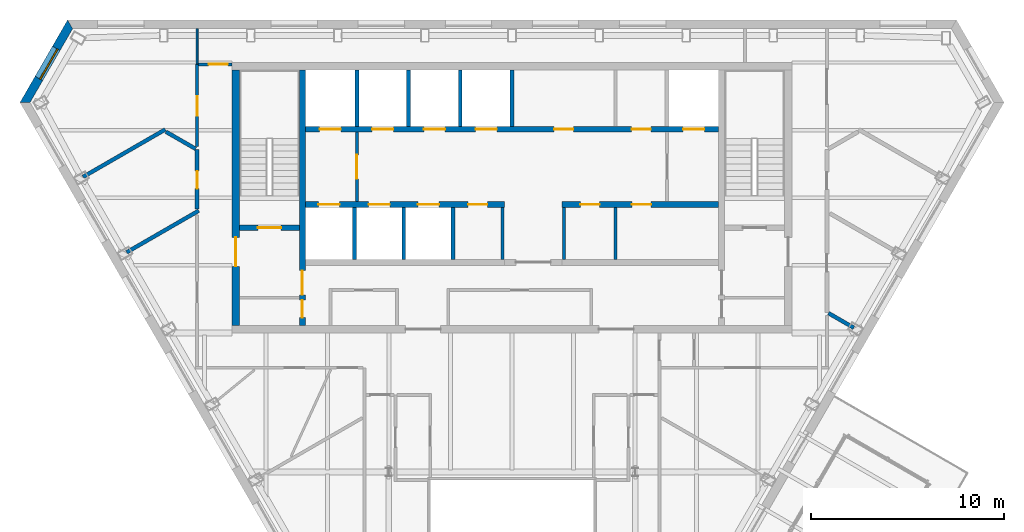
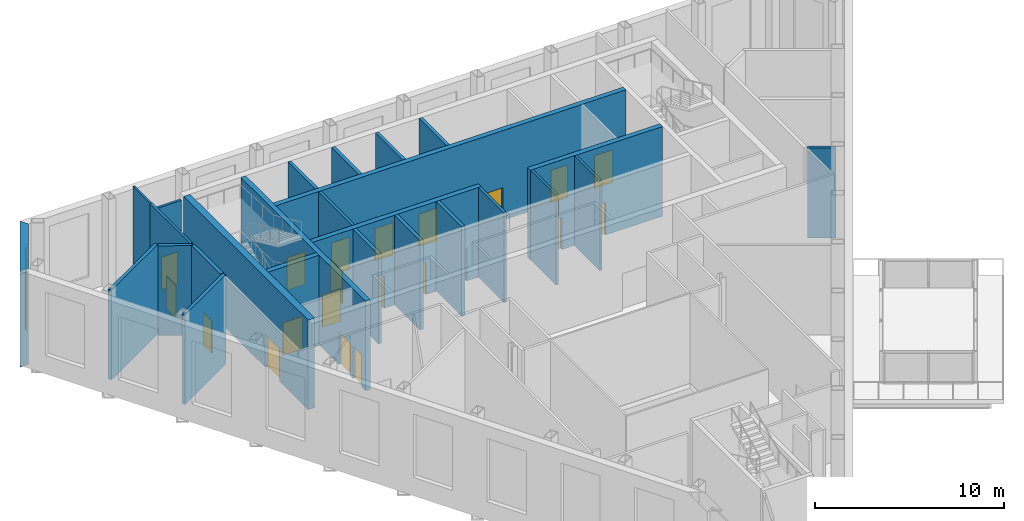
# One storey, part 7 of 11: 26 walls, 21 doors, 1 window, 22 openings.
"""IFC4 building model written with IfcOpenShell, lengths in metres."""

from ifc_helpers import new_model, si_unit, direction, frame, frame_2d, origin, place, context, subcontext, project, spatial, polyline, rectangle, outline, extrude, material, layer, layer_set, type_object, element, fill, save


model = new_model("IFC4")

# Units and contexts
model_context = context("Model", 3, precision=1e-05, world=origin(), true_north=direction((0.0, 1.0)))
body_context = subcontext(model_context, "Body", "Model", "MODEL_VIEW")
ifc_project = project(units=[si_unit("LENGTHUNIT", "METRE"), si_unit("AREAUNIT", "SQUARE_METRE"), si_unit("VOLUMEUNIT", "CUBIC_METRE"), si_unit("PLANEANGLEUNIT", "RADIAN"), si_unit("MASSUNIT", "GRAM", prefix="KILO")], contexts=[model_context])

# Site, building, storey
site_placement = place(None, origin())
site = spatial("IfcSite", under=ifc_project, at=site_placement, CompositionType="ELEMENT")
building_placement = place(site_placement, origin())
building = spatial("IfcBuilding", under=site, at=building_placement, Name="Njiva Tower", CompositionType="ELEMENT")
storey_placement = place(building_placement, frame((0.0, 0.0, 298.2)))
storey = spatial("IfcBuildingStorey", under=building, at=storey_placement, Name="L68", CompositionType="ELEMENT", Elevation=298.2)

# Walls
ifc_material_1 = material(Name="Blockwork", Category="masonry")
ifc_layer_1 = layer(ifc_material_1, 0.15)
ifc_layer_set_1 = layer_set([ifc_layer_1], Name="Blockwork")
wall_type_1 = type_object("IfcWallType", Name="WT1 Compartment partition 150", PredefinedType="PARTITIONING", material=ifc_layer_set_1)
for number, where, z_axis, x_axis, name in (
    (1, (-0.5, 7.8, 0.0), (0.0, 0.0, 1.0), (0.0, 1.0, 0.0), "Partition CS4"),
    (2, (2.7, 7.8, 0.0), (0.0, 0.0, 1.0), (0.0, 1.0, 0.0), "Partition CS5"),
    (3, (5.3667, 7.8, 0.0), (0.0, 0.0, 1.0), (0.0, 1.0, 0.0), "Partition CS6"),
):
    element("IfcWall", number, at=place(storey_placement, frame(where, z_axis=z_axis, x_axis=x_axis)), inside=storey, type_object=wall_type_1, Name=name, PredefinedType="PARTITIONING", context=body_context, shape_type="SweptSolid", body=[
        extrude(rectangle(XDim=2.7, YDim=0.15, at=frame_2d((1.35, 0.0))), origin(), (0.0, 0.0, 1.0), 5.8),
    ])

# Wall, openings, doors
ifc_material_2 = material(Name="Concrete C40/50", Category="concrete")
ifc_layer_2 = layer(ifc_material_2, 0.3)
ifc_layer_set_2 = layer_set([ifc_layer_2], Name="Concrete C40/50")
wall_type_2 = type_object("IfcWallType", Name="WT10 Stair enclosure wall 300", PredefinedType="SHEAR", material=ifc_layer_set_2)
wall_1_placement = place(storey_placement, frame((-10.85, 4.4, 0.0), z_axis=(0.0, 0.0, 1.0), x_axis=(0.0, 1.0, 0.0)))
wall_1 = element("IfcWall", 4, at=wall_1_placement, inside=storey, type_object=wall_type_2, Name="Stair wall west inner", PredefinedType="SHEAR", context=body_context, shape_type="SweptSolid", body=[
    extrude(rectangle(XDim=13.2, YDim=0.3, at=frame_2d((6.6, 0.0))), origin(), (0.0, 0.0, 1.0), 5.8),
])
opening_1_placement = place(wall_1_placement, frame((1.575, 0.0, 0.0)))
opening_1 = element("IfcOpeningElement", 5, at=opening_1_placement, cuts=wall_1, Name="Opening S22-D916", PredefinedType="OPENING", context=body_context, shape_type="SweptSolid", body=[
    extrude(rectangle(XDim=1.25, YDim=2.1, at=frame_2d((0.625, 1.05))), frame((0.0, 0.16, 0.0), z_axis=(0.0, -1.0, 0.0), x_axis=(1.0, 0.0, 0.0)), (0.0, 0.0, 1.0), 0.32),
])
opening_2_placement = place(wall_1_placement, frame((0.4, 0.0, 0.0)))
opening_2 = element("IfcOpeningElement", 6, at=opening_2_placement, cuts=wall_1, Name="Opening S22-D918", PredefinedType="OPENING", context=body_context, shape_type="SweptSolid", body=[
    extrude(rectangle(XDim=0.9, YDim=2.1, at=frame_2d((0.45, 1.05))), frame((0.0, 0.16, 0.0), z_axis=(0.0, -1.0, 0.0), x_axis=(1.0, 0.0, 0.0)), (0.0, 0.0, 1.0), 0.32),
])
ifc_material_3 = material(Name="Steel door, painted", Category="steel")
door_type_1 = type_object("IfcDoorType", Name="D13 Steel door 900x2100", OperationType="SINGLE_SWING_LEFT", PredefinedType="DOOR", material=ifc_material_3)
door_1_placement = place(opening_2_placement, origin())
door_1 = element("IfcDoor", 7, at=door_1_placement, inside=storey, type_object=door_type_1, Name="First aid room door", OperationType="SINGLE_SWING_RIGHT", OverallHeight=2.1, OverallWidth=0.9, PredefinedType="DOOR", context=body_context, shape_type="SweptSolid", body=[
    extrude(rectangle(XDim=0.9, YDim=2.1, at=frame_2d((0.45, 1.05))), frame((0.0, 0.025, 0.0), z_axis=(0.0, -1.0, 0.0), x_axis=(1.0, 0.0, 0.0)), (0.0, 0.0, 1.0), 0.05),
])
fill(opening_2, door_1)
ifc_material_4 = material(Name="Glazed steel fire door", Category="steel")
door_type_2 = type_object("IfcDoorType", Name="D8 Vestibule corridor door 1250x2100 glazed", OperationType="SINGLE_SWING_LEFT", PredefinedType="DOOR", material=ifc_material_4)
door_2_placement = place(opening_1_placement, origin())
door_2 = element("IfcDoor", 8, at=door_2_placement, inside=storey, type_object=door_type_2, Name="Stair vestibule corridor door", OperationType="SINGLE_SWING_LEFT", OverallHeight=2.1, OverallWidth=1.25, PredefinedType="DOOR", context=body_context, shape_type="SweptSolid", body=[
    extrude(rectangle(XDim=1.25, YDim=2.1, at=frame_2d((0.625, 1.05))), frame((0.0, 0.025, 0.0), z_axis=(0.0, -1.0, 0.0), x_axis=(1.0, 0.0, 0.0)), (0.0, 0.0, 1.0), 0.05),
])
fill(opening_1, door_2)

# Wall, opening, door
wall_2_placement = place(storey_placement, frame((-14.1, 9.45, 0.0), z_axis=(0.0, 0.0, 1.0), x_axis=(1.0, 0.0, 0.0)))
wall_2 = element("IfcWall", 9, at=wall_2_placement, inside=storey, type_object=wall_type_2, Name="Stair A south wall", PredefinedType="SHEAR", context=body_context, shape_type="SweptSolid", body=[
    extrude(rectangle(XDim=3.1, YDim=0.3, at=frame_2d((1.55, 0.0))), origin(), (0.0, 0.0, 1.0), 5.8),
])
opening_3_placement = place(wall_2_placement, frame((0.95, 0.0, 0.0)))
opening_3 = element("IfcOpeningElement", 10, at=opening_3_placement, cuts=wall_2, Name="Opening S22-D915", PredefinedType="OPENING", context=body_context, shape_type="SweptSolid", body=[
    extrude(rectangle(XDim=1.2, YDim=2.1, at=frame_2d((0.6, 1.05))), frame((0.0, 0.16, 0.0), z_axis=(0.0, -1.0, 0.0), x_axis=(1.0, 0.0, 0.0)), (0.0, 0.0, 1.0), 0.32),
])
door_type_3 = type_object("IfcDoorType", Name="D7 Stair vestibule door 1200x2100 glazed", OperationType="SINGLE_SWING_LEFT", PredefinedType="DOOR", material=ifc_material_4)
door_3_placement = place(opening_3_placement, origin())
door_3 = element("IfcDoor", 11, at=door_3_placement, inside=storey, type_object=door_type_3, Name="Stair A door", OperationType="SINGLE_SWING_LEFT", OverallHeight=2.1, OverallWidth=1.2, PredefinedType="DOOR", context=body_context, shape_type="SweptSolid", body=[
    extrude(rectangle(XDim=1.2, YDim=2.1, at=frame_2d((0.6, 1.05))), frame((0.0, 0.025, 0.0), z_axis=(0.0, -1.0, 0.0), x_axis=(1.0, 0.0, 0.0)), (0.0, 0.0, 1.0), 0.05),
])
fill(opening_3, door_3)

ifc_material_5 = material(Name="Concrete C60/75", Category="concrete")
ifc_layer_3 = layer(ifc_material_5, 0.4)
ifc_layer_set_3 = layer_set([ifc_layer_3], Name="Concrete C60/75")
wall_type_3 = type_object("IfcWallType", Name="WT11 Core wall 400", PredefinedType="SHEAR", material=ifc_layer_set_3)
wall_3_placement = place(storey_placement, frame((-14.3, 4.4, 0.0), z_axis=(0.0, 0.0, 1.0), x_axis=(0.0, 1.0, 0.0)))
wall_3 = element("IfcWall", 12, at=wall_3_placement, inside=storey, type_object=wall_type_3, Name="Core wall west", PredefinedType="SHEAR", context=body_context, shape_type="SweptSolid", body=[
    extrude(rectangle(XDim=13.2, YDim=0.4, at=frame_2d((6.6, 0.0))), origin(), (0.0, 0.0, 1.0), 5.8),
])
opening_4_placement = place(wall_3_placement, frame((3.05, 0.0, 0.0)))
opening_4 = element("IfcOpeningElement", 13, at=opening_4_placement, cuts=wall_3, Name="Opening S22-D917", PredefinedType="OPENING", context=body_context, shape_type="SweptSolid", body=[
    extrude(rectangle(XDim=1.5, YDim=2.1, at=frame_2d((0.75, 1.05))), frame((0.0, 0.21, 0.0), z_axis=(0.0, -1.0, 0.0), x_axis=(1.0, 0.0, 0.0)), (0.0, 0.0, 1.0), 0.42),
])
door_type_4 = type_object("IfcDoorType", Name="D10 Exit door double 1500x2100 glazed", OperationType="DOUBLE_DOOR_SINGLE_SWING", PredefinedType="DOOR", material=ifc_material_4)
door_4_placement = place(opening_4_placement, origin())
door_4 = element("IfcDoor", 14, at=door_4_placement, inside=storey, type_object=door_type_4, Name="Stair A corridor door", OperationType="DOUBLE_DOOR_SINGLE_SWING", OverallHeight=2.1, OverallWidth=1.5, PredefinedType="DOOR", context=body_context, shape_type="SweptSolid", body=[
    extrude(rectangle(XDim=1.5, YDim=2.1, at=frame_2d((0.75, 1.05))), frame((0.0, 0.025, 0.0), z_axis=(0.0, -1.0, 0.0), x_axis=(1.0, 0.0, 0.0)), (0.0, 0.0, 1.0), 0.05),
])
fill(opening_4, door_4)

ifc_layer_4 = layer(ifc_material_1, 0.15)
ifc_layer_set_4 = layer_set([ifc_layer_4], Name="Blockwork")
wall_type_4 = type_object("IfcWallType", Name="WT2 Lobby partition 150", PredefinedType="PARTITIONING", material=ifc_layer_set_4)
wall_4_placement = place(storey_placement, frame((-8.025, 10.8, 0.0), z_axis=(0.0, 0.0, 1.0), x_axis=(0.0, 1.0, 0.0)))
wall_4 = element("IfcWall", 15, at=wall_4_placement, inside=storey, type_object=wall_type_4, Name="Firefighting lobby wall A", PredefinedType="PARTITIONING", context=body_context, shape_type="SweptSolid", body=[
    extrude(rectangle(XDim=3.6, YDim=0.15, at=frame_2d((1.8, 0.0))), origin(), (0.0, 0.0, 1.0), 5.8),
])
opening_5_placement = place(wall_4_placement, frame((1.175, 0.0, 0.0)))
opening_5 = element("IfcOpeningElement", 16, at=opening_5_placement, cuts=wall_4, Name="Opening S22-D914", PredefinedType="OPENING", context=body_context, shape_type="SweptSolid", body=[
    extrude(rectangle(XDim=1.25, YDim=2.1, at=frame_2d((0.625, 1.05))), frame((0.0, 0.085, 0.0), z_axis=(0.0, -1.0, 0.0), x_axis=(1.0, 0.0, 0.0)), (0.0, 0.0, 1.0), 0.17),
])
door_5_placement = place(opening_5_placement, origin())
door_5 = element("IfcDoor", 17, at=door_5_placement, inside=storey, type_object=door_type_2, Name="Stair vestibule corridor door", OperationType="SINGLE_SWING_RIGHT", OverallHeight=2.1, OverallWidth=1.25, PredefinedType="DOOR", context=body_context, shape_type="SweptSolid", body=[
    extrude(rectangle(XDim=1.25, YDim=2.1, at=frame_2d((0.625, 1.05))), frame((0.0, 0.025, 0.0), z_axis=(0.0, -1.0, 0.0), x_axis=(1.0, 0.0, 0.0)), (0.0, 0.0, 1.0), 0.05),
])
fill(opening_5, door_5)

# Wall
ifc_material_6 = material(Name="Gypsum board on steel studs", Category="gypsum")
ifc_layer_5 = layer(ifc_material_6, 0.1)
ifc_layer_set_5 = layer_set([ifc_layer_5], Name="Gypsum board on steel studs")
wall_type_5 = type_object("IfcWallType", Name="WT20 Gypsum partition 100", PredefinedType="PARTITIONING", material=ifc_layer_set_5)
wall_5_placement = place(storey_placement, frame((-16.3, 17.919, 0.0), z_axis=(0.0, 0.0, 1.0), x_axis=(0.0, 1.0, 0.0)))
element("IfcWall", 18, at=wall_5_placement, inside=storey, type_object=wall_type_5, Name="Partition S22-P008", PredefinedType="PARTITIONING", context=body_context, shape_type="SweptSolid", body=[
    extrude(rectangle(XDim=1.831, YDim=0.1, at=frame_2d((0.9155, 0.0))), origin(), (0.0, 0.0, 1.0), 5.8),
])

# Wall, opening, door
ifc_layer_6 = layer(ifc_material_6, 0.15)
ifc_layer_set_6 = layer_set([ifc_layer_6], Name="Gypsum board on steel studs")
wall_type_6 = type_object("IfcWallType", Name="WT21 Compartment wall 150", PredefinedType="PARTITIONING", material=ifc_layer_set_6)
wall_6_placement = place(storey_placement, frame((-16.3, 13.646, 0.0), z_axis=(0.0, 0.0, 1.0), x_axis=(0.0, 1.0, 0.0)))
wall_6 = element("IfcWall", 19, at=wall_6_placement, inside=storey, type_object=wall_type_6, Name="Partition S22-P007", PredefinedType="PARTITIONING", context=body_context, shape_type="SweptSolid", body=[
    extrude(rectangle(XDim=4.273, YDim=0.15, at=frame_2d((2.1365, 0.0))), origin(), (0.0, 0.0, 1.0), 5.8),
])
opening_6_placement = place(wall_6_placement, frame((1.611, 0.0, 0.0)))
opening_6 = element("IfcOpeningElement", 20, at=opening_6_placement, cuts=wall_6, Name="Opening S22-D005", PredefinedType="OPENING", context=body_context, shape_type="SweptSolid", body=[
    extrude(rectangle(XDim=1.0, YDim=2.1, at=frame_2d((0.5, 1.05))), frame((0.0, 0.085, 0.0), z_axis=(0.0, -1.0, 0.0), x_axis=(1.0, 0.0, 0.0)), (0.0, 0.0, 1.0), 0.17),
])
ifc_material_7 = material(Name="Steel fire door set", Category="steel")
door_type_5 = type_object("IfcDoorType", Name="D37 Fire door 1000x2100", OperationType="SINGLE_SWING_LEFT", PredefinedType="DOOR", material=ifc_material_7)
door_6_placement = place(opening_6_placement, origin())
door_6 = element("IfcDoor", 21, at=door_6_placement, inside=storey, type_object=door_type_5, Name="Door S22-D005", OperationType="SINGLE_SWING_RIGHT", OverallHeight=2.1, OverallWidth=1.0, PredefinedType="DOOR", context=body_context, shape_type="SweptSolid", body=[
    extrude(rectangle(XDim=1.0, YDim=2.1, at=frame_2d((0.5, 1.05))), frame((0.0, 0.025, 0.0), z_axis=(0.0, -1.0, 0.0), x_axis=(1.0, 0.0, 0.0)), (0.0, 0.0, 1.0), 0.05),
])
fill(opening_6, door_6)

wall_7_placement = place(storey_placement, frame((-16.225, 17.907, 0.0), z_axis=(0.0, 0.0, 1.0), x_axis=(1.0, 0.0, 0.0)))
wall_7 = element("IfcWall", 22, at=wall_7_placement, inside=storey, type_object=wall_type_6, Name="Partition S22-P009", PredefinedType="PARTITIONING", context=body_context, shape_type="SweptSolid", body=[
    extrude(rectangle(XDim=1.725, YDim=0.15, at=frame_2d((0.8625, 0.0))), origin(), (0.0, 0.0, 1.0), 5.4),
])
opening_7_placement = place(wall_7_placement, frame((0.525, 0.0, 0.0)))
opening_7 = element("IfcOpeningElement", 23, at=opening_7_placement, cuts=wall_7, Name="Opening S22-D006", PredefinedType="OPENING", context=body_context, shape_type="SweptSolid", body=[
    extrude(rectangle(XDim=1.0, YDim=2.1, at=frame_2d((0.5, 1.05))), frame((0.0, 0.085, 0.0), z_axis=(0.0, -1.0, 0.0), x_axis=(1.0, 0.0, 0.0)), (0.0, 0.0, 1.0), 0.17),
])
door_7_placement = place(opening_7_placement, origin())
door_7 = element("IfcDoor", 24, at=door_7_placement, inside=storey, type_object=door_type_5, Name="Door S22-D006", OperationType="SINGLE_SWING_LEFT", OverallHeight=2.1, OverallWidth=1.0, PredefinedType="DOOR", context=body_context, shape_type="SweptSolid", body=[
    extrude(rectangle(XDim=1.0, YDim=2.1, at=frame_2d((0.5, 1.05))), frame((0.0, 0.025, 0.0), z_axis=(0.0, -1.0, 0.0), x_axis=(1.0, 0.0, 0.0)), (0.0, 0.0, 1.0), 0.05),
])
fill(opening_7, door_7)

# Walls
ifc_layer_7 = layer(ifc_material_1, 0.2)
ifc_layer_set_7 = layer_set([ifc_layer_7], Name="Blockwork")
wall_type_7 = type_object("IfcWallType", Name="WT22 Plant room wall 200", PredefinedType="PARTITIONING", material=ifc_layer_set_7)
wall_8_placement = place(storey_placement, frame((-22.201, 12.078, 0.0), z_axis=(0.0, 0.0, 1.0), x_axis=(0.866182198585, 0.499728325047, 0.0)))
element("IfcWall", 25, at=wall_8_placement, inside=storey, type_object=wall_type_7, Name="Partition S22-P001", PredefinedType="PARTITIONING", context=body_context, shape_type="SweptSolid", body=[
    extrude(rectangle(XDim=4.9147, YDim=0.2, at=frame_2d((2.4574, 0.0))), origin(), (0.0, 0.0, 1.0), 5.8),
])
wall_9_placement = place(storey_placement, frame((-19.947, 8.173, 0.0), z_axis=(0.0, 0.0, 1.0), x_axis=(0.866007919525, 0.500030282404, 0.0)))
element("IfcWall", 26, at=wall_9_placement, inside=storey, type_object=wall_type_7, Name="Partition S22-P002", PredefinedType="PARTITIONING", context=body_context, shape_type="SweptSolid", body=[
    extrude(rectangle(XDim=4.3117, YDim=0.2, at=frame_2d((2.1558, 0.0))), origin(), (0.0, 0.0, 1.0), 5.8),
])
wall_10_placement = place(storey_placement, frame((-17.913, 14.416, 0.0), z_axis=(0.0, 0.0, 1.0), x_axis=(0.866644592537, -0.498925996743, 0.0)))
element("IfcWall", 27, at=wall_10_placement, inside=storey, type_object=wall_type_7, Name="Partition S22-P003", PredefinedType="PARTITIONING", context=body_context, shape_type="SweptSolid", body=[
    extrude(rectangle(XDim=1.7758, YDim=0.2, at=frame_2d((0.8879, 0.0))), origin(), (0.0, 0.0, 1.0), 5.8),
])

# Wall, opening, door
wall_11_placement = place(storey_placement, frame((-16.3, 10.416, 0.0), z_axis=(0.0, 0.0, 1.0), x_axis=(0.0, 1.0, 0.0)))
wall_11 = element("IfcWall", 28, at=wall_11_placement, inside=storey, type_object=wall_type_7, Name="Partition S22-P006", PredefinedType="PARTITIONING", context=body_context, shape_type="SweptSolid", body=[
    extrude(rectangle(XDim=3.069, YDim=0.2, at=frame_2d((1.5345, 0.0))), origin(), (0.0, 0.0, 1.0), 5.8),
])
opening_8_placement = place(wall_11_placement, frame((1.059, 0.0, 0.0)))
opening_8 = element("IfcOpeningElement", 29, at=opening_8_placement, cuts=wall_11, Name="Opening S22-D004", PredefinedType="OPENING", context=body_context, shape_type="SweptSolid", body=[
    extrude(rectangle(XDim=0.9, YDim=2.1, at=frame_2d((0.45, 1.05))), frame((0.0, 0.11, 0.0), z_axis=(0.0, -1.0, 0.0), x_axis=(1.0, 0.0, 0.0)), (0.0, 0.0, 1.0), 0.22),
])
door_type_6 = type_object("IfcDoorType", Name="D36 Fire door 900x2100", OperationType="SINGLE_SWING_LEFT", PredefinedType="DOOR", material=ifc_material_7)
door_8_placement = place(opening_8_placement, origin())
door_8 = element("IfcDoor", 30, at=door_8_placement, inside=storey, type_object=door_type_6, Name="Door S22-D004", OperationType="SINGLE_SWING_RIGHT", OverallHeight=2.1, OverallWidth=0.9, PredefinedType="DOOR", context=body_context, shape_type="SweptSolid", body=[
    extrude(rectangle(XDim=0.9, YDim=2.1, at=frame_2d((0.45, 1.05))), frame((0.0, 0.025, 0.0), z_axis=(0.0, -1.0, 0.0), x_axis=(1.0, 0.0, 0.0)), (0.0, 0.0, 1.0), 0.05),
])
fill(opening_8, door_8)

# Walls
wall_12_placement = place(storey_placement, frame((16.381, 5.027, 0.0), z_axis=(0.0, 0.0, 1.0), x_axis=(0.865877778751, -0.500255606931, 0.0)))
element("IfcWall", 31, at=wall_12_placement, inside=storey, type_object=wall_type_7, Name="Partition S22-P037", PredefinedType="PARTITIONING", context=body_context, shape_type="SweptSolid", body=[
    extrude(rectangle(XDim=1.5152, YDim=0.2, at=frame_2d((0.7576, 0.0))), origin(), (0.0, 0.0, 1.0), 5.8),
])
ifc_layer_8 = layer(ifc_material_2, 0.2)
ifc_layer_set_8 = layer_set([ifc_layer_8], Name="Concrete C40/50")
wall_type_8 = type_object("IfcWallType", Name="WT6 Lift shaft wall 200", PredefinedType="SHEAR", material=ifc_layer_set_8)
for number, where, z_axis, x_axis, name in (
    (32, (-8.025, 14.7, 0.0), (0.0, 0.0, 1.0), (0.0, 1.0, 0.0), "Shaft wall CN1"),
    (33, (-5.35, 14.7, 0.0), (0.0, 0.0, 1.0), (0.0, 1.0, 0.0), "Shaft wall CN2"),
    (34, (-2.675, 14.7, 0.0), (0.0, 0.0, 1.0), (0.0, 1.0, 0.0), "Shaft wall CN3"),
    (35, (0.0, 14.7, 0.0), (0.0, 0.0, 1.0), (0.0, 1.0, 0.0), "Shaft wall CN4"),
):
    element("IfcWall", number, at=place(storey_placement, frame(where, z_axis=z_axis, x_axis=x_axis)), inside=storey, type_object=wall_type_8, Name=name, PredefinedType="SHEAR", context=body_context, shape_type="SweptSolid", body=[
        extrude(rectangle(XDim=2.9, YDim=0.2, at=frame_2d((1.45, 0.0))), origin(), (0.0, 0.0, 1.0), 5.8),
    ])
for number, where, z_axis, x_axis, name in (
    (36, (-8.15, 7.8, 0.0), (0.0, 0.0, 1.0), (0.0, 1.0, 0.0), "Shaft wall CS1"),
    (37, (-5.6, 7.8, 0.0), (0.0, 0.0, 1.0), (0.0, 1.0, 0.0), "Shaft wall CS2"),
    (38, (-3.05, 7.8, 0.0), (0.0, 0.0, 1.0), (0.0, 1.0, 0.0), "Shaft wall CS3"),
):
    element("IfcWall", number, at=place(storey_placement, frame(where, z_axis=z_axis, x_axis=x_axis)), inside=storey, type_object=wall_type_8, Name=name, PredefinedType="SHEAR", context=body_context, shape_type="SweptSolid", body=[
        extrude(rectangle(XDim=2.7, YDim=0.2, at=frame_2d((1.35, 0.0))), origin(), (0.0, 0.0, 1.0), 5.8),
    ])

# Wall, openings, doors
ifc_layer_9 = layer(ifc_material_2, 0.3)
ifc_layer_set_9 = layer_set([ifc_layer_9], Name="Concrete C40/50")
wall_type_9 = type_object("IfcWallType", Name="WT7 Lift shaft wall 300", PredefinedType="SHEAR", material=ifc_layer_set_9)
wall_13_placement = place(storey_placement, frame((-10.7, 14.55, 0.0), z_axis=(0.0, 0.0, 1.0), x_axis=(1.0, 0.0, 0.0)))
wall_13 = element("IfcWall", 39, at=wall_13_placement, inside=storey, type_object=wall_type_9, Name="Shaft wall north row lobby side", PredefinedType="SHEAR", context=body_context, shape_type="SweptSolid", body=[
    extrude(rectangle(XDim=21.4, YDim=0.3, at=frame_2d((10.7, 0.0))), origin(), (0.0, 0.0, 1.0), 5.8),
])
opening_9_placement = place(wall_13_placement, frame((0.7375, 0.0, 0.0)))
opening_9 = element("IfcOpeningElement", 40, at=opening_9_placement, cuts=wall_13, Name="Opening S22-D901", PredefinedType="OPENING", context=body_context, shape_type="SweptSolid", body=[
    extrude(rectangle(XDim=1.1, YDim=2.1, at=frame_2d((0.55, 1.05))), frame((0.0, 0.16, 0.0), z_axis=(0.0, -1.0, 0.0), x_axis=(1.0, 0.0, 0.0)), (0.0, 0.0, 1.0), 0.32),
])
opening_10_placement = place(wall_13_placement, frame((3.4625, 0.0, 0.0)))
opening_10 = element("IfcOpeningElement", 41, at=opening_10_placement, cuts=wall_13, Name="Opening S22-D902", PredefinedType="OPENING", context=body_context, shape_type="SweptSolid", body=[
    extrude(rectangle(XDim=1.1, YDim=2.1, at=frame_2d((0.55, 1.05))), frame((0.0, 0.16, 0.0), z_axis=(0.0, -1.0, 0.0), x_axis=(1.0, 0.0, 0.0)), (0.0, 0.0, 1.0), 0.32),
])
opening_11_placement = place(wall_13_placement, frame((6.1375, 0.0, 0.0)))
opening_11 = element("IfcOpeningElement", 42, at=opening_11_placement, cuts=wall_13, Name="Opening S22-D903", PredefinedType="OPENING", context=body_context, shape_type="SweptSolid", body=[
    extrude(rectangle(XDim=1.1, YDim=2.1, at=frame_2d((0.55, 1.05))), frame((0.0, 0.16, 0.0), z_axis=(0.0, -1.0, 0.0), x_axis=(1.0, 0.0, 0.0)), (0.0, 0.0, 1.0), 0.32),
])
opening_12_placement = place(wall_13_placement, frame((8.8125, 0.0, 0.0)))
opening_12 = element("IfcOpeningElement", 43, at=opening_12_placement, cuts=wall_13, Name="Opening S22-D904", PredefinedType="OPENING", context=body_context, shape_type="SweptSolid", body=[
    extrude(rectangle(XDim=1.1, YDim=2.1, at=frame_2d((0.55, 1.05))), frame((0.0, 0.16, 0.0), z_axis=(0.0, -1.0, 0.0), x_axis=(1.0, 0.0, 0.0)), (0.0, 0.0, 1.0), 0.32),
])
opening_13_placement = place(wall_13_placement, frame((19.5625, 0.0, 0.0)))
opening_13 = element("IfcOpeningElement", 44, at=opening_13_placement, cuts=wall_13, Name="Opening S22-D905", PredefinedType="OPENING", context=body_context, shape_type="SweptSolid", body=[
    extrude(rectangle(XDim=1.1, YDim=2.1, at=frame_2d((0.55, 1.05))), frame((0.0, 0.16, 0.0), z_axis=(0.0, -1.0, 0.0), x_axis=(1.0, 0.0, 0.0)), (0.0, 0.0, 1.0), 0.32),
])
opening_14_placement = place(wall_13_placement, frame((12.875, 0.0, 0.0)))
opening_14 = element("IfcOpeningElement", 45, at=opening_14_placement, cuts=wall_13, Name="Opening S22-D909", PredefinedType="OPENING", context=body_context, shape_type="SweptSolid", body=[
    extrude(rectangle(XDim=1.0, YDim=2.1, at=frame_2d((0.5, 1.05))), frame((0.0, 0.16, 0.0), z_axis=(0.0, -1.0, 0.0), x_axis=(1.0, 0.0, 0.0)), (0.0, 0.0, 1.0), 0.32),
])
opening_15_placement = place(wall_13_placement, frame((16.8875, 0.0, 0.0)))
opening_15 = element("IfcOpeningElement", 46, at=opening_15_placement, cuts=wall_13, Name="Opening S22-D910", PredefinedType="OPENING", context=body_context, shape_type="SweptSolid", body=[
    extrude(rectangle(XDim=1.0, YDim=2.1, at=frame_2d((0.5, 1.05))), frame((0.0, 0.16, 0.0), z_axis=(0.0, -1.0, 0.0), x_axis=(1.0, 0.0, 0.0)), (0.0, 0.0, 1.0), 0.32),
])
door_type_7 = type_object("IfcDoorType", Name="D5 Steel door 1000x2100", OperationType="SINGLE_SWING_LEFT", PredefinedType="DOOR", material=ifc_material_3)
door_9_placement = place(opening_14_placement, origin())
door_9 = element("IfcDoor", 47, at=door_9_placement, inside=storey, type_object=door_type_7, Name="Reading room door", OperationType="SINGLE_SWING_LEFT", OverallHeight=2.1, OverallWidth=1.0, PredefinedType="DOOR", context=body_context, shape_type="SweptSolid", body=[
    extrude(rectangle(XDim=1.0, YDim=2.1, at=frame_2d((0.5, 1.05))), frame((0.0, 0.025, 0.0), z_axis=(0.0, -1.0, 0.0), x_axis=(1.0, 0.0, 0.0)), (0.0, 0.0, 1.0), 0.05),
])
fill(opening_14, door_9)
door_10_placement = place(opening_15_placement, origin())
door_10 = element("IfcDoor", 48, at=door_10_placement, inside=storey, type_object=door_type_7, Name="Business centre door", OperationType="SINGLE_SWING_LEFT", OverallHeight=2.1, OverallWidth=1.0, PredefinedType="DOOR", context=body_context, shape_type="SweptSolid", body=[
    extrude(rectangle(XDim=1.0, YDim=2.1, at=frame_2d((0.5, 1.05))), frame((0.0, 0.025, 0.0), z_axis=(0.0, -1.0, 0.0), x_axis=(1.0, 0.0, 0.0)), (0.0, 0.0, 1.0), 0.05),
])
fill(opening_15, door_10)
ifc_material_8 = material(Name="Stainless steel sliding door", Category="steel")
door_type_8 = type_object("IfcDoorType", Name="LD Lift landing door 1100x2100", OperationType="SLIDING_TO_LEFT", PredefinedType="DOOR", material=ifc_material_8)
door_11_placement = place(opening_9_placement, origin())
door_11 = element("IfcDoor", 49, at=door_11_placement, inside=storey, type_object=door_type_8, Name="Lift landing door FF1", OperationType="SLIDING_TO_LEFT", OverallHeight=2.1, OverallWidth=1.1, PredefinedType="DOOR", context=body_context, shape_type="SweptSolid", body=[
    extrude(rectangle(XDim=1.1, YDim=2.1, at=frame_2d((0.55, 1.05))), frame((0.0, 0.025, 0.0), z_axis=(0.0, -1.0, 0.0), x_axis=(1.0, 0.0, 0.0)), (0.0, 0.0, 1.0), 0.05),
])
fill(opening_9, door_11)
door_12_placement = place(opening_10_placement, origin())
door_12 = element("IfcDoor", 50, at=door_12_placement, inside=storey, type_object=door_type_8, Name="Lift landing door HB4", OperationType="SLIDING_TO_LEFT", OverallHeight=2.1, OverallWidth=1.1, PredefinedType="DOOR", context=body_context, shape_type="SweptSolid", body=[
    extrude(rectangle(XDim=1.1, YDim=2.1, at=frame_2d((0.55, 1.05))), frame((0.0, 0.025, 0.0), z_axis=(0.0, -1.0, 0.0), x_axis=(1.0, 0.0, 0.0)), (0.0, 0.0, 1.0), 0.05),
])
fill(opening_10, door_12)
door_13_placement = place(opening_11_placement, origin())
door_13 = element("IfcDoor", 51, at=door_13_placement, inside=storey, type_object=door_type_8, Name="Lift landing door HB5", OperationType="SLIDING_TO_LEFT", OverallHeight=2.1, OverallWidth=1.1, PredefinedType="DOOR", context=body_context, shape_type="SweptSolid", body=[
    extrude(rectangle(XDim=1.1, YDim=2.1, at=frame_2d((0.55, 1.05))), frame((0.0, 0.025, 0.0), z_axis=(0.0, -1.0, 0.0), x_axis=(1.0, 0.0, 0.0)), (0.0, 0.0, 1.0), 0.05),
])
fill(opening_11, door_13)
door_14_placement = place(opening_12_placement, origin())
door_14 = element("IfcDoor", 52, at=door_14_placement, inside=storey, type_object=door_type_8, Name="Lift landing door HB6", OperationType="SLIDING_TO_LEFT", OverallHeight=2.1, OverallWidth=1.1, PredefinedType="DOOR", context=body_context, shape_type="SweptSolid", body=[
    extrude(rectangle(XDim=1.1, YDim=2.1, at=frame_2d((0.55, 1.05))), frame((0.0, 0.025, 0.0), z_axis=(0.0, -1.0, 0.0), x_axis=(1.0, 0.0, 0.0)), (0.0, 0.0, 1.0), 0.05),
])
fill(opening_12, door_14)
door_15_placement = place(opening_13_placement, origin())
door_15 = element("IfcDoor", 53, at=door_15_placement, inside=storey, type_object=door_type_8, Name="Lift landing door FF2", OperationType="SLIDING_TO_LEFT", OverallHeight=2.1, OverallWidth=1.1, PredefinedType="DOOR", context=body_context, shape_type="SweptSolid", body=[
    extrude(rectangle(XDim=1.1, YDim=2.1, at=frame_2d((0.55, 1.05))), frame((0.0, 0.025, 0.0), z_axis=(0.0, -1.0, 0.0), x_axis=(1.0, 0.0, 0.0)), (0.0, 0.0, 1.0), 0.05),
])
fill(opening_13, door_15)

wall_14_placement = place(storey_placement, frame((-10.7, 10.65, 0.0), z_axis=(0.0, 0.0, 1.0), x_axis=(1.0, 0.0, 0.0)))
wall_14 = element("IfcWall", 54, at=wall_14_placement, inside=storey, type_object=wall_type_9, Name="Shaft wall south row lobby side W", PredefinedType="SHEAR", context=body_context, shape_type="SweptSolid", body=[
    extrude(rectangle(XDim=10.3, YDim=0.3, at=frame_2d((5.15, 0.0))), origin(), (0.0, 0.0, 1.0), 5.8),
])
opening_16_placement = place(wall_14_placement, frame((0.675, 0.0, 0.0)))
opening_16 = element("IfcOpeningElement", 55, at=opening_16_placement, cuts=wall_14, Name="Opening S22-D906", PredefinedType="OPENING", context=body_context, shape_type="SweptSolid", body=[
    extrude(rectangle(XDim=1.1, YDim=2.1, at=frame_2d((0.55, 1.05))), frame((0.0, 0.16, 0.0), z_axis=(0.0, -1.0, 0.0), x_axis=(1.0, 0.0, 0.0)), (0.0, 0.0, 1.0), 0.32),
])
opening_17_placement = place(wall_14_placement, frame((3.275, 0.0, 0.0)))
opening_17 = element("IfcOpeningElement", 56, at=opening_17_placement, cuts=wall_14, Name="Opening S22-D907", PredefinedType="OPENING", context=body_context, shape_type="SweptSolid", body=[
    extrude(rectangle(XDim=1.1, YDim=2.1, at=frame_2d((0.55, 1.05))), frame((0.0, 0.16, 0.0), z_axis=(0.0, -1.0, 0.0), x_axis=(1.0, 0.0, 0.0)), (0.0, 0.0, 1.0), 0.32),
])
opening_18_placement = place(wall_14_placement, frame((5.825, 0.0, 0.0)))
opening_18 = element("IfcOpeningElement", 57, at=opening_18_placement, cuts=wall_14, Name="Opening S22-D908", PredefinedType="OPENING", context=body_context, shape_type="SweptSolid", body=[
    extrude(rectangle(XDim=1.1, YDim=2.1, at=frame_2d((0.55, 1.05))), frame((0.0, 0.16, 0.0), z_axis=(0.0, -1.0, 0.0), x_axis=(1.0, 0.0, 0.0)), (0.0, 0.0, 1.0), 0.32),
])
opening_19_placement = place(wall_14_placement, frame((8.425, 0.0, 0.0)))
opening_19 = element("IfcOpeningElement", 58, at=opening_19_placement, cuts=wall_14, Name="Opening S22-D911", PredefinedType="OPENING", context=body_context, shape_type="SweptSolid", body=[
    extrude(rectangle(XDim=1.0, YDim=2.1, at=frame_2d((0.5, 1.05))), frame((0.0, 0.16, 0.0), z_axis=(0.0, -1.0, 0.0), x_axis=(1.0, 0.0, 0.0)), (0.0, 0.0, 1.0), 0.32),
])
door_16_placement = place(opening_19_placement, origin())
door_16 = element("IfcDoor", 59, at=door_16_placement, inside=storey, type_object=door_type_7, Name="Prayer room door", OperationType="SINGLE_SWING_RIGHT", OverallHeight=2.1, OverallWidth=1.0, PredefinedType="DOOR", context=body_context, shape_type="SweptSolid", body=[
    extrude(rectangle(XDim=1.0, YDim=2.1, at=frame_2d((0.5, 1.05))), frame((0.0, 0.025, 0.0), z_axis=(0.0, -1.0, 0.0), x_axis=(1.0, 0.0, 0.0)), (0.0, 0.0, 1.0), 0.05),
])
fill(opening_19, door_16)
door_17_placement = place(opening_16_placement, origin())
door_17 = element("IfcDoor", 60, at=door_17_placement, inside=storey, type_object=door_type_8, Name="Lift landing door HB1", OperationType="SLIDING_TO_LEFT", OverallHeight=2.1, OverallWidth=1.1, PredefinedType="DOOR", context=body_context, shape_type="SweptSolid", body=[
    extrude(rectangle(XDim=1.1, YDim=2.1, at=frame_2d((0.55, 1.05))), frame((0.0, 0.025, 0.0), z_axis=(0.0, -1.0, 0.0), x_axis=(1.0, 0.0, 0.0)), (0.0, 0.0, 1.0), 0.05),
])
fill(opening_16, door_17)
door_18_placement = place(opening_17_placement, origin())
door_18 = element("IfcDoor", 61, at=door_18_placement, inside=storey, type_object=door_type_8, Name="Lift landing door HB2", OperationType="SLIDING_TO_LEFT", OverallHeight=2.1, OverallWidth=1.1, PredefinedType="DOOR", context=body_context, shape_type="SweptSolid", body=[
    extrude(rectangle(XDim=1.1, YDim=2.1, at=frame_2d((0.55, 1.05))), frame((0.0, 0.025, 0.0), z_axis=(0.0, -1.0, 0.0), x_axis=(1.0, 0.0, 0.0)), (0.0, 0.0, 1.0), 0.05),
])
fill(opening_17, door_18)
door_19_placement = place(opening_18_placement, origin())
door_19 = element("IfcDoor", 62, at=door_19_placement, inside=storey, type_object=door_type_8, Name="Lift landing door HB3", OperationType="SLIDING_TO_LEFT", OverallHeight=2.1, OverallWidth=1.1, PredefinedType="DOOR", context=body_context, shape_type="SweptSolid", body=[
    extrude(rectangle(XDim=1.1, YDim=2.1, at=frame_2d((0.55, 1.05))), frame((0.0, 0.025, 0.0), z_axis=(0.0, -1.0, 0.0), x_axis=(1.0, 0.0, 0.0)), (0.0, 0.0, 1.0), 0.05),
])
fill(opening_18, door_19)

wall_15_placement = place(storey_placement, frame((2.6, 10.65, 0.0), z_axis=(0.0, 0.0, 1.0), x_axis=(1.0, 0.0, 0.0)))
wall_15 = element("IfcWall", 63, at=wall_15_placement, inside=storey, type_object=wall_type_9, Name="Shaft wall south row lobby side E", PredefinedType="SHEAR", context=body_context, shape_type="SweptSolid", body=[
    extrude(rectangle(XDim=8.1, YDim=0.3, at=frame_2d((4.05, 0.0))), origin(), (0.0, 0.0, 1.0), 5.8),
])
opening_20_placement = place(wall_15_placement, frame((0.9334, 0.0, 0.0)))
opening_20 = element("IfcOpeningElement", 64, at=opening_20_placement, cuts=wall_15, Name="Opening S22-D912", PredefinedType="OPENING", context=body_context, shape_type="SweptSolid", body=[
    extrude(rectangle(XDim=1.0, YDim=2.1, at=frame_2d((0.5, 1.05))), frame((0.0, 0.16, 0.0), z_axis=(0.0, -1.0, 0.0), x_axis=(1.0, 0.0, 0.0)), (0.0, 0.0, 1.0), 0.32),
])
opening_21_placement = place(wall_15_placement, frame((3.6, 0.0, 0.0)))
opening_21 = element("IfcOpeningElement", 65, at=opening_21_placement, cuts=wall_15, Name="Opening S22-D913", PredefinedType="OPENING", context=body_context, shape_type="SweptSolid", body=[
    extrude(rectangle(XDim=1.0, YDim=2.1, at=frame_2d((0.5, 1.05))), frame((0.0, 0.16, 0.0), z_axis=(0.0, -1.0, 0.0), x_axis=(1.0, 0.0, 0.0)), (0.0, 0.0, 1.0), 0.32),
])
door_20_placement = place(opening_20_placement, origin())
door_20 = element("IfcDoor", 66, at=door_20_placement, inside=storey, type_object=door_type_7, Name="First aid room door", OperationType="SINGLE_SWING_LEFT", OverallHeight=2.1, OverallWidth=1.0, PredefinedType="DOOR", context=body_context, shape_type="SweptSolid", body=[
    extrude(rectangle(XDim=1.0, YDim=2.1, at=frame_2d((0.5, 1.05))), frame((0.0, 0.025, 0.0), z_axis=(0.0, -1.0, 0.0), x_axis=(1.0, 0.0, 0.0)), (0.0, 0.0, 1.0), 0.05),
])
fill(opening_20, door_20)
door_21_placement = place(opening_21_placement, origin())
door_21 = element("IfcDoor", 67, at=door_21_placement, inside=storey, type_object=door_type_7, Name="Electrical room door", OperationType="SINGLE_SWING_RIGHT", OverallHeight=2.1, OverallWidth=1.0, PredefinedType="DOOR", context=body_context, shape_type="SweptSolid", body=[
    extrude(rectangle(XDim=1.0, YDim=2.1, at=frame_2d((0.5, 1.05))), frame((0.0, 0.025, 0.0), z_axis=(0.0, -1.0, 0.0), x_axis=(1.0, 0.0, 0.0)), (0.0, 0.0, 1.0), 0.05),
])
fill(opening_21, door_21)

# Wall, opening, window
ifc_material_9 = material(Name="Brick masonry, buff", Category="masonry")
ifc_layer_10 = layer(ifc_material_9, 0.45)
ifc_layer_set_10 = layer_set([ifc_layer_10], Name="Brick masonry, buff")
wall_type_10 = type_object("IfcWallType", Name="WT94 Brick pier and spandrel wall 450, buff", PredefinedType="SOLIDWALL", material=ifc_layer_set_10)
wall_16_placement = place(storey_placement, frame((-22.8701, 19.975, -0.4), z_axis=(0.0, 0.0, 1.0), x_axis=(-0.500001097856, -0.866024769936, 0.0)))
wall_16 = element("IfcWall", 68, at=wall_16_placement, inside=storey, type_object=wall_type_10, Name="Facade wall NW", PredefinedType="SOLIDWALL", context=body_context, shape_type="SweptSolid", body=[
    extrude(outline(polyline([(-0.1299, -0.225), (4.8001, -0.225), (4.5403, 0.225), (0.1299, 0.225), (-0.1299, -0.225)])), origin(), (0.0, 0.0, 1.0), 6.0),
])
opening_22_placement = place(wall_16_placement, frame((1.4351, 0.0, 1.3)))
opening_22 = element("IfcOpeningElement", 69, at=opening_22_placement, cuts=wall_16, Name="Opening S22-W08", PredefinedType="OPENING", context=body_context, shape_type="SweptSolid", body=[
    extrude(rectangle(XDim=1.8, YDim=4.1, at=frame_2d((0.9, 2.05))), frame((0.0, 0.235, 0.0), z_axis=(0.0, -1.0, 0.0), x_axis=(1.0, 0.0, 0.0)), (0.0, 0.0, 1.0), 0.47),
])
ifc_material_10 = material(Name="Clear glazing in aluminium frame", Category="aluminium")
window_type = type_object("IfcWindowType", Name="W97 Deep-set window 1800x4100", PartitioningType="SINGLE_PANEL", PredefinedType="WINDOW", material=ifc_material_10)
window_placement = place(opening_22_placement, origin())
window = element("IfcWindow", 70, at=window_placement, inside=storey, type_object=window_type, Name="Window", OverallHeight=4.1, OverallWidth=1.8, PartitioningType="SINGLE_PANEL", PredefinedType="WINDOW", context=body_context, shape_type="SweptSolid", body=[
    extrude(rectangle(XDim=1.8, YDim=4.1, at=frame_2d((0.9, 2.05))), frame((0.0, 0.105, 0.0), z_axis=(0.0, -1.0, 0.0), x_axis=(1.0, 0.0, 0.0)), (0.0, 0.0, 1.0), 0.06),
])
fill(opening_22, window)

save(model, "model.ifc")
